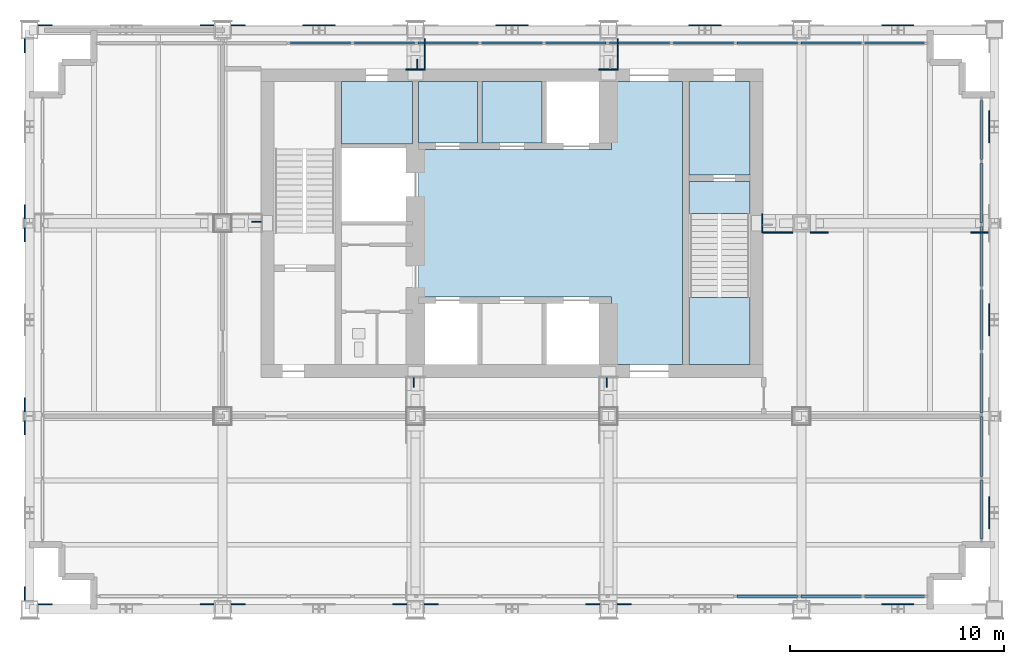
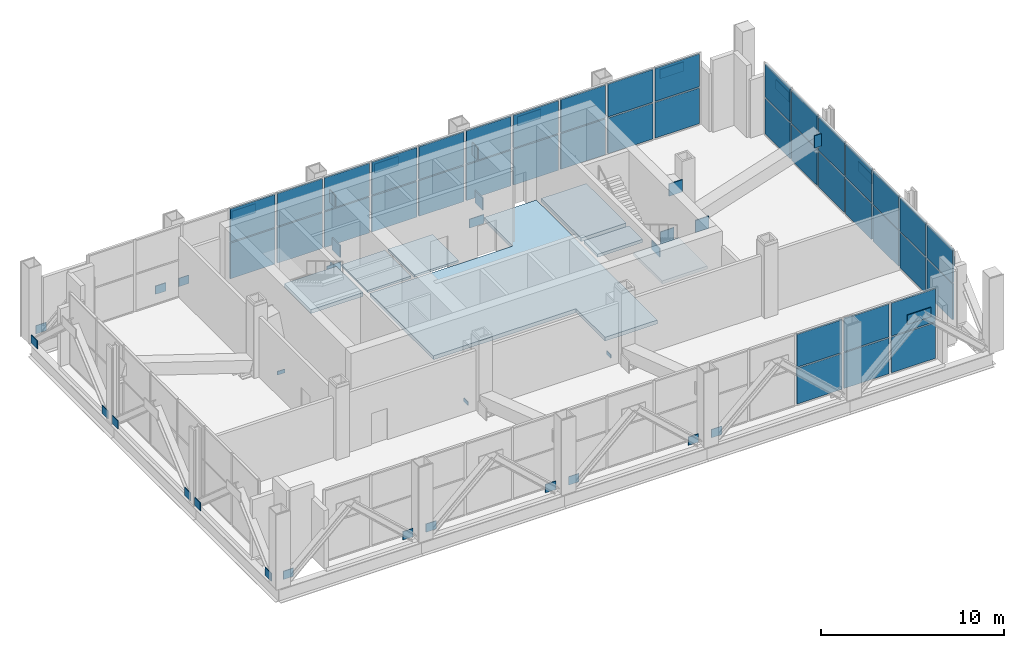
# One storey, part 8 of 13: 79 plates, 7 slabs, 4 elements without a shape of their own.
"""IFC4 building model written with IfcOpenShell, lengths in metres."""

from ifc_helpers import new_model, si_unit, direction, frame, origin, origin_2d, place, context, subcontext, project, spatial, polyline, rectangle, outline, extrude, material, layer, layer_set, type_object, element, aggregate, save


model = new_model("IFC4")

# Units and contexts
model_context = context("Model", 3, precision=1e-05, world=origin(), true_north=direction((0.0, 1.0)))
body_context = subcontext(model_context, "Body", "Model", "MODEL_VIEW")
ifc_project = project(units=[si_unit("LENGTHUNIT", "METRE"), si_unit("AREAUNIT", "SQUARE_METRE"), si_unit("VOLUMEUNIT", "CUBIC_METRE"), si_unit("PLANEANGLEUNIT", "RADIAN"), si_unit("MASSUNIT", "GRAM", prefix="KILO")], contexts=[model_context])

# Site, building, storey
site_placement = place(None, origin())
site = spatial("IfcSite", under=ifc_project, at=site_placement, CompositionType="ELEMENT")
building_placement = place(site_placement, origin())
building = spatial("IfcBuilding", under=site, at=building_placement, Name="Loomwork Tower", CompositionType="ELEMENT")
storey_placement = place(building_placement, frame((0.0, 0.0, 221.60009765625)))
storey = spatial("IfcBuildingStorey", under=building, at=storey_placement, Name="L61", CompositionType="ELEMENT", Elevation=221.60009765625)

# Slabs
ifc_material_1 = material(Name="Concrete 5000 psi (34 MPa) on composite metal deck", Category="concrete")
ifc_layer_1 = layer(ifc_material_1, 0.25)
ifc_layer_set_1 = layer_set([ifc_layer_1], Name="Floor slab 250")
slab_type_1 = type_object("IfcSlabType", Name="Floor slab 250", PredefinedType="FLOOR", material=ifc_layer_set_1)
slab_1_placement = place(storey_placement, frame((0.0, 0.0, -0.25)))
element("IfcSlab", 1, at=slab_1_placement, inside=storey, type_object=slab_type_1, Name="Floor slab L61", PredefinedType="FLOOR", context=body_context, shape_type="SweptSolid", body=[
    extrude(outline(polyline([(30.449951171875, 24.60009765625), (30.449951171875, 11.39990234375), (27.14990234375, 11.39990234375), (27.14990234375, 14.25), (27.14990234375, 14.550048828125), (18.14990234375, 14.550048828125), (18.14990234375, 21.449951171875), (27.14990234375, 21.449951171875), (27.14990234375, 21.75), (27.14990234375, 24.60009765625), (30.449951171875, 24.60009765625)])), origin(), (0.0, 0.0, 1.0), 0.25),
])
slab_2_placement = place(storey_placement, frame((0.0, 0.0, -0.25)))
element("IfcSlab", 2, at=slab_2_placement, inside=storey, type_object=slab_type_1, Name="Floor slab L61", PredefinedType="FLOOR", context=body_context, shape_type="SweptSolid", body=[
    extrude(outline(polyline([(33.60009765625, 20.25), (30.75, 20.25), (30.75, 24.60009765625), (33.60009765625, 24.60009765625), (33.60009765625, 20.25)])), origin(), (0.0, 0.0, 1.0), 0.25),
])
slab_3_placement = place(storey_placement, frame((0.0, 0.0, -0.25)))
element("IfcSlab", 3, at=slab_3_placement, inside=storey, type_object=slab_type_1, Name="Floor slab L61", PredefinedType="FLOOR", context=body_context, shape_type="SweptSolid", body=[
    extrude(outline(polyline([(14.550048828125, 21.699951171875), (14.550048828125, 24.60009765625), (17.85009765625, 24.60009765625), (17.85009765625, 21.699951171875), (14.550048828125, 21.699951171875)])), origin(), (0.0, 0.0, 1.0), 0.25),
])

# Curtain wall, plates
ifc_material_2 = material(Name="Aluminium louvre frame", Category="aluminium")
curtain_wall_type = type_object("IfcCurtainWallType", Name="Plant floor louvre screen", PredefinedType="NOTDEFINED", material=ifc_material_2)
curtain_wall_1_placement = place(storey_placement, origin())
curtain_wall_1 = element("IfcCurtainWall", 4, at=curtain_wall_1_placement, inside=storey, type_object=curtain_wall_type, Name="Plant floor louvre screen cw/S", PredefinedType="NOTDEFINED")
ifc_material_3 = material(Name="Aluminium louvre blade panel", Category="aluminium")
ifc_layer_2 = layer(ifc_material_3, 0.10009765625)
ifc_layer_set_2 = layer_set([ifc_layer_2], Name="Plant floor louvre screen panel")
plate_type_1 = type_object("IfcPlateType", Name="Plant floor louvre screen panel", PredefinedType="CURTAIN_PANEL", material=ifc_layer_set_2)
plate_1_placement = place(storey_placement, frame((34.40771484375, 0.60009765625, 0.080078125), z_axis=(0.0, 0.0, 1.0), x_axis=(1.0, 0.0, 0.0)))
plate_1 = element("IfcPlate", 5, at=plate_1_placement, type_object=plate_type_1, Name="CW4 panel 11.1", PredefinedType="CURTAIN_PANEL", context=body_context, shape_type="SweptSolid", body=[
    extrude(rectangle(XDim=2.826904296875, YDim=0.10009765625, at=origin_2d()), origin(), (0.0, 0.0, 1.0), 2.3798828125),
])
plate_2_placement = place(storey_placement, frame((34.40771484375, 0.60009765625, 2.5400390625), z_axis=(0.0, 0.0, 1.0), x_axis=(1.0, 0.0, 0.0)))
plate_2 = element("IfcPlate", 6, at=plate_2_placement, type_object=plate_type_1, Name="CW4 panel 11.2", PredefinedType="CURTAIN_PANEL", context=body_context, shape_type="SweptSolid", body=[
    extrude(rectangle(XDim=2.826904296875, YDim=0.10009765625, at=origin_2d()), origin(), (0.0, 0.0, 1.0), 2.179931640625),
])
plate_3_placement = place(storey_placement, frame((37.384521484375, 0.60009765625, 0.080078125), z_axis=(0.0, 0.0, 1.0), x_axis=(1.0, 0.0, 0.0)))
plate_3 = element("IfcPlate", 7, at=plate_3_placement, type_object=plate_type_1, Name="CW4 panel 12.1", PredefinedType="CURTAIN_PANEL", context=body_context, shape_type="SweptSolid", body=[
    extrude(rectangle(XDim=2.826904296875, YDim=0.10009765625, at=origin_2d()), origin(), (0.0, 0.0, 1.0), 2.3798828125),
])
plate_4_placement = place(storey_placement, frame((37.384521484375, 0.60009765625, 2.5400390625), z_axis=(0.0, 0.0, 1.0), x_axis=(1.0, 0.0, 0.0)))
plate_4 = element("IfcPlate", 8, at=plate_4_placement, type_object=plate_type_1, Name="CW4 panel 12.2", PredefinedType="CURTAIN_PANEL", context=body_context, shape_type="SweptSolid", body=[
    extrude(rectangle(XDim=2.826904296875, YDim=0.10009765625, at=origin_2d()), origin(), (0.0, 0.0, 1.0), 2.179931640625),
])
plate_5_placement = place(storey_placement, frame((40.341552734375, 0.60009765625, 0.080078125), z_axis=(0.0, 0.0, 1.0), x_axis=(1.0, 0.0, 0.0)))
plate_5 = element("IfcPlate", 9, at=plate_5_placement, type_object=plate_type_1, Name="CW4 panel 13.1", PredefinedType="CURTAIN_PANEL", context=body_context, shape_type="SweptSolid", body=[
    extrude(rectangle(XDim=2.786865234375, YDim=0.10009765625, at=origin_2d()), origin(), (0.0, 0.0, 1.0), 2.3798828125),
])
plate_6_placement = place(storey_placement, frame((40.341552734375, 0.60009765625, 2.5400390625), z_axis=(0.0, 0.0, 1.0), x_axis=(1.0, 0.0, 0.0)))
plate_6 = element("IfcPlate", 10, at=plate_6_placement, type_object=plate_type_1, Name="CW4 panel 13.2", PredefinedType="CURTAIN_PANEL", context=body_context, shape_type="SweptSolid", body=[
    extrude(rectangle(XDim=2.786865234375, YDim=0.10009765625, at=origin_2d()), origin(), (0.0, 0.0, 1.0), 2.179931640625),
])
aggregate(curtain_wall_1, [plate_1, plate_2, plate_3, plate_4, plate_5, plate_6])

curtain_wall_2_placement = place(storey_placement, origin())
curtain_wall_2 = element("IfcCurtainWall", 11, at=curtain_wall_2_placement, inside=storey, type_object=curtain_wall_type, Name="Plant floor louvre screen cw/E", PredefinedType="NOTDEFINED")
plate_7_placement = place(storey_placement, frame((44.39990234375, 4.648681640625, 0.080078125), z_axis=(0.0, 0.0, 1.0), x_axis=(0.0, 1.0, 0.0)))
plate_7 = element("IfcPlate", 12, at=plate_7_placement, type_object=plate_type_1, Name="CW4 panel 1.1", PredefinedType="CURTAIN_PANEL", context=body_context, shape_type="SweptSolid", body=[
    extrude(rectangle(XDim=2.76708984375, YDim=0.10009765625, at=origin_2d()), origin(), (0.0, 0.0, 1.0), 2.3798828125),
])
plate_8_placement = place(storey_placement, frame((44.39990234375, 4.648681640625, 2.5400390625), z_axis=(0.0, 0.0, 1.0), x_axis=(0.0, 1.0, 0.0)))
plate_8 = element("IfcPlate", 13, at=plate_8_placement, type_object=plate_type_1, Name="CW4 panel 1.2", PredefinedType="CURTAIN_PANEL", context=body_context, shape_type="SweptSolid", body=[
    extrude(rectangle(XDim=2.76708984375, YDim=0.10009765625, at=origin_2d()), origin(), (0.0, 0.0, 1.0), 2.179931640625),
])
plate_9_placement = place(storey_placement, frame((44.39990234375, 7.585693359375, 0.080078125), z_axis=(0.0, 0.0, 1.0), x_axis=(0.0, 1.0, 0.0)))
plate_9 = element("IfcPlate", 14, at=plate_9_placement, type_object=plate_type_1, Name="CW4 panel 2.1", PredefinedType="CURTAIN_PANEL", context=body_context, shape_type="SweptSolid", body=[
    extrude(rectangle(XDim=2.80712890625, YDim=0.10009765625, at=origin_2d()), origin(), (0.0, 0.0, 1.0), 2.3798828125),
])
plate_10_placement = place(storey_placement, frame((44.39990234375, 7.585693359375, 2.5400390625), z_axis=(0.0, 0.0, 1.0), x_axis=(0.0, 1.0, 0.0)))
plate_10 = element("IfcPlate", 15, at=plate_10_placement, type_object=plate_type_1, Name="CW4 panel 2.2", PredefinedType="CURTAIN_PANEL", context=body_context, shape_type="SweptSolid", body=[
    extrude(rectangle(XDim=2.80712890625, YDim=0.10009765625, at=origin_2d()), origin(), (0.0, 0.0, 1.0), 2.179931640625),
])
plate_11_placement = place(storey_placement, frame((44.39990234375, 10.54296875, 0.080078125), z_axis=(0.0, 0.0, 1.0), x_axis=(0.0, 1.0, 0.0)))
plate_11 = element("IfcPlate", 16, at=plate_11_placement, type_object=plate_type_1, Name="CW4 panel 3.1", PredefinedType="CURTAIN_PANEL", context=body_context, shape_type="SweptSolid", body=[
    extrude(rectangle(XDim=2.80712890625, YDim=0.10009765625, at=origin_2d()), origin(), (0.0, 0.0, 1.0), 2.3798828125),
])
plate_12_placement = place(storey_placement, frame((44.39990234375, 10.54296875, 2.5400390625), z_axis=(0.0, 0.0, 1.0), x_axis=(0.0, 1.0, 0.0)))
plate_12 = element("IfcPlate", 17, at=plate_12_placement, type_object=plate_type_1, Name="CW4 panel 3.2", PredefinedType="CURTAIN_PANEL", context=body_context, shape_type="SweptSolid", body=[
    extrude(rectangle(XDim=2.80712890625, YDim=0.10009765625, at=origin_2d()), origin(), (0.0, 0.0, 1.0), 2.179931640625),
])
plate_13_placement = place(storey_placement, frame((44.39990234375, 13.5, 0.080078125), z_axis=(0.0, 0.0, 1.0), x_axis=(0.0, 1.0, 0.0)))
plate_13 = element("IfcPlate", 18, at=plate_13_placement, type_object=plate_type_1, Name="CW4 panel 4.1", PredefinedType="CURTAIN_PANEL", context=body_context, shape_type="SweptSolid", body=[
    extrude(rectangle(XDim=2.80712890625, YDim=0.10009765625, at=origin_2d()), origin(), (0.0, 0.0, 1.0), 2.3798828125),
])
plate_14_placement = place(storey_placement, frame((44.39990234375, 13.5, 2.5400390625), z_axis=(0.0, 0.0, 1.0), x_axis=(0.0, 1.0, 0.0)))
plate_14 = element("IfcPlate", 19, at=plate_14_placement, type_object=plate_type_1, Name="CW4 panel 4.2", PredefinedType="CURTAIN_PANEL", context=body_context, shape_type="SweptSolid", body=[
    extrude(rectangle(XDim=2.80712890625, YDim=0.10009765625, at=origin_2d()), origin(), (0.0, 0.0, 1.0), 2.179931640625),
])
plate_15_placement = place(storey_placement, frame((44.39990234375, 16.45703125, 0.080078125), z_axis=(0.0, 0.0, 1.0), x_axis=(0.0, 1.0, 0.0)))
plate_15 = element("IfcPlate", 20, at=plate_15_placement, type_object=plate_type_1, Name="CW4 panel 5.1", PredefinedType="CURTAIN_PANEL", context=body_context, shape_type="SweptSolid", body=[
    extrude(rectangle(XDim=2.80712890625, YDim=0.10009765625, at=origin_2d()), origin(), (0.0, 0.0, 1.0), 2.3798828125),
])
plate_16_placement = place(storey_placement, frame((44.39990234375, 16.45703125, 2.5400390625), z_axis=(0.0, 0.0, 1.0), x_axis=(0.0, 1.0, 0.0)))
plate_16 = element("IfcPlate", 21, at=plate_16_placement, type_object=plate_type_1, Name="CW4 panel 5.2", PredefinedType="CURTAIN_PANEL", context=body_context, shape_type="SweptSolid", body=[
    extrude(rectangle(XDim=2.80712890625, YDim=0.10009765625, at=origin_2d()), origin(), (0.0, 0.0, 1.0), 2.179931640625),
])
plate_17_placement = place(storey_placement, frame((44.39990234375, 19.414306640625, 0.080078125), z_axis=(0.0, 0.0, 1.0), x_axis=(0.0, 1.0, 0.0)))
plate_17 = element("IfcPlate", 22, at=plate_17_placement, type_object=plate_type_1, Name="CW4 panel 6.1", PredefinedType="CURTAIN_PANEL", context=body_context, shape_type="SweptSolid", body=[
    extrude(rectangle(XDim=2.80712890625, YDim=0.10009765625, at=origin_2d()), origin(), (0.0, 0.0, 1.0), 2.3798828125),
])
plate_18_placement = place(storey_placement, frame((44.39990234375, 19.414306640625, 2.5400390625), z_axis=(0.0, 0.0, 1.0), x_axis=(0.0, 1.0, 0.0)))
plate_18 = element("IfcPlate", 23, at=plate_18_placement, type_object=plate_type_1, Name="CW4 panel 6.2", PredefinedType="CURTAIN_PANEL", context=body_context, shape_type="SweptSolid", body=[
    extrude(rectangle(XDim=2.80712890625, YDim=0.10009765625, at=origin_2d()), origin(), (0.0, 0.0, 1.0), 2.179931640625),
])
plate_19_placement = place(storey_placement, frame((44.39990234375, 22.351318359375, 0.080078125), z_axis=(0.0, 0.0, 1.0), x_axis=(0.0, 1.0, 0.0)))
plate_19 = element("IfcPlate", 24, at=plate_19_placement, type_object=plate_type_1, Name="CW4 panel 7.1", PredefinedType="CURTAIN_PANEL", context=body_context, shape_type="SweptSolid", body=[
    extrude(rectangle(XDim=2.76708984375, YDim=0.10009765625, at=origin_2d()), origin(), (0.0, 0.0, 1.0), 2.3798828125),
])
plate_20_placement = place(storey_placement, frame((44.39990234375, 22.351318359375, 2.5400390625), z_axis=(0.0, 0.0, 1.0), x_axis=(0.0, 1.0, 0.0)))
plate_20 = element("IfcPlate", 25, at=plate_20_placement, type_object=plate_type_1, Name="CW4 panel 7.2", PredefinedType="CURTAIN_PANEL", context=body_context, shape_type="SweptSolid", body=[
    extrude(rectangle(XDim=2.76708984375, YDim=0.10009765625, at=origin_2d()), origin(), (0.0, 0.0, 1.0), 2.179931640625),
])
aggregate(curtain_wall_2, [plate_7, plate_8, plate_9, plate_10, plate_11, plate_12, plate_13, plate_14, plate_15, plate_16, plate_17, plate_18, plate_19, plate_20])

curtain_wall_3_placement = place(storey_placement, origin())
curtain_wall_3 = element("IfcCurtainWall", 26, at=curtain_wall_3_placement, inside=storey, type_object=curtain_wall_type, Name="Plant floor louvre screen cw/N", PredefinedType="NOTDEFINED")
plate_21_placement = place(storey_placement, frame((40.341552734375, 26.39990234375, 0.080078125), z_axis=(0.0, 0.0, 1.0), x_axis=(-1.0, 0.0, 0.0)))
plate_21 = element("IfcPlate", 27, at=plate_21_placement, type_object=plate_type_1, Name="CW4 panel 1.1", PredefinedType="CURTAIN_PANEL", context=body_context, shape_type="SweptSolid", body=[
    extrude(rectangle(XDim=2.786865234375, YDim=0.10009765625, at=origin_2d()), origin(), (0.0, 0.0, 1.0), 2.3798828125),
])
plate_22_placement = place(storey_placement, frame((40.341552734375, 26.39990234375, 2.5400390625), z_axis=(0.0, 0.0, 1.0), x_axis=(-1.0, 0.0, 0.0)))
plate_22 = element("IfcPlate", 28, at=plate_22_placement, type_object=plate_type_1, Name="CW4 panel 1.2", PredefinedType="CURTAIN_PANEL", context=body_context, shape_type="SweptSolid", body=[
    extrude(rectangle(XDim=2.786865234375, YDim=0.10009765625, at=origin_2d()), origin(), (0.0, 0.0, 1.0), 2.179931640625),
])
plate_23_placement = place(storey_placement, frame((37.384521484375, 26.39990234375, 0.080078125), z_axis=(0.0, 0.0, 1.0), x_axis=(-1.0, 0.0, 0.0)))
plate_23 = element("IfcPlate", 29, at=plate_23_placement, type_object=plate_type_1, Name="CW4 panel 2.1", PredefinedType="CURTAIN_PANEL", context=body_context, shape_type="SweptSolid", body=[
    extrude(rectangle(XDim=2.826904296875, YDim=0.10009765625, at=origin_2d()), origin(), (0.0, 0.0, 1.0), 2.3798828125),
])
plate_24_placement = place(storey_placement, frame((37.384521484375, 26.39990234375, 2.5400390625), z_axis=(0.0, 0.0, 1.0), x_axis=(-1.0, 0.0, 0.0)))
plate_24 = element("IfcPlate", 30, at=plate_24_placement, type_object=plate_type_1, Name="CW4 panel 2.2", PredefinedType="CURTAIN_PANEL", context=body_context, shape_type="SweptSolid", body=[
    extrude(rectangle(XDim=2.826904296875, YDim=0.10009765625, at=origin_2d()), origin(), (0.0, 0.0, 1.0), 2.179931640625),
])
plate_25_placement = place(storey_placement, frame((34.40771484375, 26.39990234375, 0.080078125), z_axis=(0.0, 0.0, 1.0), x_axis=(-1.0, 0.0, 0.0)))
plate_25 = element("IfcPlate", 31, at=plate_25_placement, type_object=plate_type_1, Name="CW4 panel 3.1", PredefinedType="CURTAIN_PANEL", context=body_context, shape_type="SweptSolid", body=[
    extrude(rectangle(XDim=2.826904296875, YDim=0.10009765625, at=origin_2d()), origin(), (0.0, 0.0, 1.0), 2.3798828125),
])
plate_26_placement = place(storey_placement, frame((34.40771484375, 26.39990234375, 2.5400390625), z_axis=(0.0, 0.0, 1.0), x_axis=(-1.0, 0.0, 0.0)))
plate_26 = element("IfcPlate", 32, at=plate_26_placement, type_object=plate_type_1, Name="CW4 panel 3.2", PredefinedType="CURTAIN_PANEL", context=body_context, shape_type="SweptSolid", body=[
    extrude(rectangle(XDim=2.826904296875, YDim=0.10009765625, at=origin_2d()), origin(), (0.0, 0.0, 1.0), 2.179931640625),
])
plate_27_placement = place(storey_placement, frame((31.4306640625, 26.39990234375, 0.080078125), z_axis=(0.0, 0.0, 1.0), x_axis=(-1.0, 0.0, 0.0)))
plate_27 = element("IfcPlate", 33, at=plate_27_placement, type_object=plate_type_1, Name="CW4 panel 4.1", PredefinedType="CURTAIN_PANEL", context=body_context, shape_type="SweptSolid", body=[
    extrude(rectangle(XDim=2.826904296875, YDim=0.10009765625, at=origin_2d()), origin(), (0.0, 0.0, 1.0), 2.3798828125),
])
plate_28_placement = place(storey_placement, frame((31.4306640625, 26.39990234375, 2.5400390625), z_axis=(0.0, 0.0, 1.0), x_axis=(-1.0, 0.0, 0.0)))
plate_28 = element("IfcPlate", 34, at=plate_28_placement, type_object=plate_type_1, Name="CW4 panel 4.2", PredefinedType="CURTAIN_PANEL", context=body_context, shape_type="SweptSolid", body=[
    extrude(rectangle(XDim=2.826904296875, YDim=0.10009765625, at=origin_2d()), origin(), (0.0, 0.0, 1.0), 2.179931640625),
])
plate_29_placement = place(storey_placement, frame((28.453857421875, 26.39990234375, 0.080078125), z_axis=(0.0, 0.0, 1.0), x_axis=(-1.0, 0.0, 0.0)))
plate_29 = element("IfcPlate", 35, at=plate_29_placement, type_object=plate_type_1, Name="CW4 panel 5.1", PredefinedType="CURTAIN_PANEL", context=body_context, shape_type="SweptSolid", body=[
    extrude(rectangle(XDim=2.826904296875, YDim=0.10009765625, at=origin_2d()), origin(), (0.0, 0.0, 1.0), 2.3798828125),
])
plate_30_placement = place(storey_placement, frame((28.453857421875, 26.39990234375, 2.5400390625), z_axis=(0.0, 0.0, 1.0), x_axis=(-1.0, 0.0, 0.0)))
plate_30 = element("IfcPlate", 36, at=plate_30_placement, type_object=plate_type_1, Name="CW4 panel 5.2", PredefinedType="CURTAIN_PANEL", context=body_context, shape_type="SweptSolid", body=[
    extrude(rectangle(XDim=2.826904296875, YDim=0.10009765625, at=origin_2d()), origin(), (0.0, 0.0, 1.0), 2.179931640625),
])
plate_31_placement = place(storey_placement, frame((25.476806640625, 26.39990234375, 0.080078125), z_axis=(0.0, 0.0, 1.0), x_axis=(-1.0, 0.0, 0.0)))
plate_31 = element("IfcPlate", 37, at=plate_31_placement, type_object=plate_type_1, Name="CW4 panel 6.1", PredefinedType="CURTAIN_PANEL", context=body_context, shape_type="SweptSolid", body=[
    extrude(rectangle(XDim=2.826904296875, YDim=0.10009765625, at=origin_2d()), origin(), (0.0, 0.0, 1.0), 2.3798828125),
])
plate_32_placement = place(storey_placement, frame((25.476806640625, 26.39990234375, 2.5400390625), z_axis=(0.0, 0.0, 1.0), x_axis=(-1.0, 0.0, 0.0)))
plate_32 = element("IfcPlate", 38, at=plate_32_placement, type_object=plate_type_1, Name="CW4 panel 6.2", PredefinedType="CURTAIN_PANEL", context=body_context, shape_type="SweptSolid", body=[
    extrude(rectangle(XDim=2.826904296875, YDim=0.10009765625, at=origin_2d()), origin(), (0.0, 0.0, 1.0), 2.179931640625),
])
plate_33_placement = place(storey_placement, frame((22.5, 26.39990234375, 0.080078125), z_axis=(0.0, 0.0, 1.0), x_axis=(-1.0, 0.0, 0.0)))
plate_33 = element("IfcPlate", 39, at=plate_33_placement, type_object=plate_type_1, Name="CW4 panel 7.1", PredefinedType="CURTAIN_PANEL", context=body_context, shape_type="SweptSolid", body=[
    extrude(rectangle(XDim=2.826904296875, YDim=0.10009765625, at=origin_2d()), origin(), (0.0, 0.0, 1.0), 2.3798828125),
])
plate_34_placement = place(storey_placement, frame((22.5, 26.39990234375, 2.5400390625), z_axis=(0.0, 0.0, 1.0), x_axis=(-1.0, 0.0, 0.0)))
plate_34 = element("IfcPlate", 40, at=plate_34_placement, type_object=plate_type_1, Name="CW4 panel 7.2", PredefinedType="CURTAIN_PANEL", context=body_context, shape_type="SweptSolid", body=[
    extrude(rectangle(XDim=2.826904296875, YDim=0.10009765625, at=origin_2d()), origin(), (0.0, 0.0, 1.0), 2.179931640625),
])
plate_35_placement = place(storey_placement, frame((19.523193359375, 26.39990234375, 0.080078125), z_axis=(0.0, 0.0, 1.0), x_axis=(-1.0, 0.0, 0.0)))
plate_35 = element("IfcPlate", 41, at=plate_35_placement, type_object=plate_type_1, Name="CW4 panel 8.1", PredefinedType="CURTAIN_PANEL", context=body_context, shape_type="SweptSolid", body=[
    extrude(rectangle(XDim=2.826904296875, YDim=0.10009765625, at=origin_2d()), origin(), (0.0, 0.0, 1.0), 2.3798828125),
])
plate_36_placement = place(storey_placement, frame((19.523193359375, 26.39990234375, 2.5400390625), z_axis=(0.0, 0.0, 1.0), x_axis=(-1.0, 0.0, 0.0)))
plate_36 = element("IfcPlate", 42, at=plate_36_placement, type_object=plate_type_1, Name="CW4 panel 8.2", PredefinedType="CURTAIN_PANEL", context=body_context, shape_type="SweptSolid", body=[
    extrude(rectangle(XDim=2.826904296875, YDim=0.10009765625, at=origin_2d()), origin(), (0.0, 0.0, 1.0), 2.179931640625),
])
plate_37_placement = place(storey_placement, frame((16.546142578125, 26.39990234375, 0.080078125), z_axis=(0.0, 0.0, 1.0), x_axis=(-1.0, 0.0, 0.0)))
plate_37 = element("IfcPlate", 43, at=plate_37_placement, type_object=plate_type_1, Name="CW4 panel 9.1", PredefinedType="CURTAIN_PANEL", context=body_context, shape_type="SweptSolid", body=[
    extrude(rectangle(XDim=2.826904296875, YDim=0.10009765625, at=origin_2d()), origin(), (0.0, 0.0, 1.0), 2.3798828125),
])
plate_38_placement = place(storey_placement, frame((16.546142578125, 26.39990234375, 2.5400390625), z_axis=(0.0, 0.0, 1.0), x_axis=(-1.0, 0.0, 0.0)))
plate_38 = element("IfcPlate", 44, at=plate_38_placement, type_object=plate_type_1, Name="CW4 panel 9.2", PredefinedType="CURTAIN_PANEL", context=body_context, shape_type="SweptSolid", body=[
    extrude(rectangle(XDim=2.826904296875, YDim=0.10009765625, at=origin_2d()), origin(), (0.0, 0.0, 1.0), 2.179931640625),
])
plate_39_placement = place(storey_placement, frame((13.5693359375, 26.39990234375, 0.080078125), z_axis=(0.0, 0.0, 1.0), x_axis=(-1.0, 0.0, 0.0)))
plate_39 = element("IfcPlate", 45, at=plate_39_placement, type_object=plate_type_1, Name="CW4 panel 10.1", PredefinedType="CURTAIN_PANEL", context=body_context, shape_type="SweptSolid", body=[
    extrude(rectangle(XDim=2.826904296875, YDim=0.10009765625, at=origin_2d()), origin(), (0.0, 0.0, 1.0), 2.3798828125),
])
plate_40_placement = place(storey_placement, frame((13.5693359375, 26.39990234375, 2.5400390625), z_axis=(0.0, 0.0, 1.0), x_axis=(-1.0, 0.0, 0.0)))
plate_40 = element("IfcPlate", 46, at=plate_40_placement, type_object=plate_type_1, Name="CW4 panel 10.2", PredefinedType="CURTAIN_PANEL", context=body_context, shape_type="SweptSolid", body=[
    extrude(rectangle(XDim=2.826904296875, YDim=0.10009765625, at=origin_2d()), origin(), (0.0, 0.0, 1.0), 2.179931640625),
])
aggregate(curtain_wall_3, [plate_21, plate_22, plate_23, plate_24, plate_25, plate_26, plate_27, plate_28, plate_29, plate_30, plate_31, plate_32, plate_33, plate_34, plate_35, plate_36, plate_37, plate_38, plate_39, plate_40])

# Slabs
ifc_material_4 = material(Name="Concrete 5000 psi (34 MPa) on composite metal deck", Category="concrete")
ifc_layer_3 = layer(ifc_material_4, 0.14990234375)
ifc_layer_set_3 = layer_set([ifc_layer_3], Name="Shaft infill floor 150")
slab_type_2 = type_object("IfcSlabType", Name="Shaft infill floor 150", PredefinedType="FLOOR", material=ifc_layer_set_3)
slab_4_placement = place(storey_placement, frame((0.0, 0.0, -0.150146484375)))
element("IfcSlab", 47, at=slab_4_placement, inside=storey, type_object=slab_type_2, Name="Shaft infill floor LS1 L61", PredefinedType="FLOOR", context=body_context, shape_type="SweptSolid", body=[
    extrude(outline(polyline([(18.14990234375, 21.75), (20.89990234375, 21.75), (20.89990234375, 24.60009765625), (18.14990234375, 24.60009765625), (18.14990234375, 21.75)])), origin(), (0.0, 0.0, 1.0), 0.150146484375),
])
slab_5_placement = place(storey_placement, frame((0.0, 0.0, -0.150146484375)))
element("IfcSlab", 48, at=slab_5_placement, inside=storey, type_object=slab_type_2, Name="Shaft infill floor LS2 L61", PredefinedType="FLOOR", context=body_context, shape_type="SweptSolid", body=[
    extrude(outline(polyline([(21.10009765625, 21.75), (23.89990234375, 21.75), (23.89990234375, 24.60009765625), (21.10009765625, 24.60009765625), (21.10009765625, 21.75)])), origin(), (0.0, 0.0, 1.0), 0.150146484375),
])

# Stair, slabs
ifc_material_5 = material(Name="Concrete 5000 psi (34 MPa) precast stair", Category="concrete")
stair_type = type_object("IfcStairType", Name="Stair ST-B 30 risers 2850 wide", PredefinedType="HALF_TURN_STAIR", material=ifc_material_5)
stair_placement = place(storey_placement, origin())
stair = element("IfcStair", 49, at=stair_placement, inside=storey, type_object=stair_type, Name="Stair B L61", PredefinedType="HALF_TURN_STAIR")
ifc_material_6 = material(Name="Concrete 5000 psi (34 MPa)", Category="concrete")
ifc_layer_4 = layer(ifc_material_6, 0.199951171875)
ifc_layer_set_4 = layer_set([ifc_layer_4], Name="Stair landing 200")
slab_type_3 = type_object("IfcSlabType", Name="Stair landing 200", PredefinedType="LANDING", material=ifc_layer_set_4)
slab_6_placement = place(storey_placement, frame((0.0, 0.0, -0.2001953125)))
slab_6 = element("IfcSlab", 50, at=slab_6_placement, type_object=slab_type_3, Name="ST-B landing 1", PredefinedType="LANDING", context=body_context, shape_type="SweptSolid", body=[
    extrude(outline(polyline([(30.75, 18.449951171875), (33.60009765625, 18.449951171875), (33.60009765625, 19.949951171875), (30.75, 19.949951171875), (30.75, 18.449951171875)])), origin(), (0.0, 0.0, 1.0), 0.2001953125),
])
slab_7_placement = place(storey_placement, frame((0.0, 0.0, 2.2998046875)))
slab_7 = element("IfcSlab", 51, at=slab_7_placement, type_object=slab_type_3, Name="ST-B landing 2", PredefinedType="LANDING", context=body_context, shape_type="SweptSolid", body=[
    extrude(outline(polyline([(30.75, 11.39990234375), (33.60009765625, 11.39990234375), (33.60009765625, 14.530029296875), (30.75, 14.530029296875), (30.75, 11.39990234375)])), origin(), (0.0, 0.0, 1.0), 0.2001953125),
])
aggregate(stair, [slab_6, slab_7])

# Plates
ifc_material_7 = material(Name="Steel ASTM A572 Grade 50 plate", Category="steel")
ifc_layer_5 = layer(ifc_material_7, 0.06005859375)
ifc_layer_set_5 = layer_set([ifc_layer_5], Name="OUTRIGGER CAST-IN CORE PLATE 60")
plate_type_2 = type_object("IfcPlateType", Name="OUTRIGGER CAST-IN CORE PLATE 60", PredefinedType="SHEET", material=ifc_layer_set_5)
for number, where, z_axis, x_axis, name in (
    (52, (34.169921875, 18.0, -0.8447265625), (0.0, 0.0, 1.0), (0.0, 1.0, 0.0), "Outrigger cast-in core plate 36,18-33.9,18 L61"),
    (53, (27.0, 25.169921875, -0.8447265625), (0.0, 0.0, 1.0), (1.0, 0.0, 0.0), "Outrigger cast-in core plate 27,27-27,24.9 L61"),
    (54, (18.0, 25.169921875, -0.8447265625), (0.0, 0.0, 1.0), (1.0, 0.0, 0.0), "Outrigger cast-in core plate 18,27-18,24.9 L61"),
):
    element("IfcPlate", number, at=place(storey_placement, frame(where, z_axis=z_axis, x_axis=x_axis)), inside=storey, type_object=plate_type_2, Name=name, PredefinedType="SHEET", context=body_context, shape_type="SweptSolid", body=[
        extrude(rectangle(XDim=0.89990234375, YDim=0.06005859375, at=origin_2d()), origin(), (0.0, 0.0, 1.0), 0.590087890625),
    ])
ifc_material_8 = material(Name="Steel ASTM A572 Grade 50 plate", Category="steel")
ifc_layer_6 = layer(ifc_material_8, 0.050048828125)
ifc_layer_set_6 = layer_set([ifc_layer_6], Name="OUTRIGGER SHEAR PLATE 50")
plate_type_3 = type_object("IfcPlateType", Name="OUTRIGGER SHEAR PLATE 50", PredefinedType="SHEET", material=ifc_layer_set_6)
for number, where, z_axis, x_axis, name in (
    (55, (26.922119140625, 10.575439453125, -0.669921875), (0.0, 0.0, 1.0), (0.0, 1.0, 0.0), "Outrigger shear plate 27,9-27,11.1 L61"),
    (56, (17.922119140625, 10.575439453125, -0.669921875), (0.0, 0.0, 1.0), (0.0, 1.0, 0.0), "Outrigger shear plate 18,9-18,11.1 L61"),
    (57, (18.077880859375, 25.424560546875, -0.669921875), (0.0, 0.0, 1.0), (0.0, 1.0, 0.0), "Outrigger shear plate 18,27-18,24.9 L61"),
    (58, (10.575439453125, 18.077880859375, -0.669921875), (0.0, 0.0, 1.0), (1.0, 0.0, 0.0), "Outrigger shear plate 9,18-11.1,18 L61"),
):
    element("IfcPlate", number, at=place(storey_placement, frame(where, z_axis=z_axis, x_axis=x_axis)), inside=storey, type_object=plate_type_3, Name=name, PredefinedType="SHEET", context=body_context, shape_type="SweptSolid", body=[
        extrude(rectangle(XDim=0.449951171875, YDim=0.050048828125, at=origin_2d()), origin(), (0.0, 0.0, 1.0), 0.239990234375),
    ])
ifc_material_9 = material(Name="Steel ASTM A572 Grade 50 plate", Category="steel")
ifc_layer_7 = layer(ifc_material_9, 0.050048828125)
ifc_layer_set_7 = layer_set([ifc_layer_7], Name="BELT TRUSS APEX GUSSET PLATE 50")
plate_type_4 = type_object("IfcPlateType", Name="BELT TRUSS APEX GUSSET PLATE 50", PredefinedType="SHEET", material=ifc_layer_set_7)
for number, where, z_axis, x_axis, name in (
    (59, (40.5, 0.231689453125, 3.23046875), (0.0, 0.0, 1.0), (1.0, 0.0, 0.0), "Belt truss chevron apex gusset plate D/6-D/7 L61"),
    (60, (44.768310546875, 4.5, 3.23046875), (0.0, 0.0, 1.0), (0.0, 1.0, 0.0), "Belt truss chevron apex gusset plate D/7-E/7 L61"),
    (61, (44.768310546875, 13.5, 3.23046875), (0.0, 0.0, 1.0), (0.0, 1.0, 0.0), "Belt truss chevron apex gusset plate E/7-F/7 L61"),
    (62, (44.768310546875, 22.5, 3.23046875), (0.0, 0.0, 1.0), (0.0, 1.0, 0.0), "Belt truss chevron apex gusset plate F/7-G/7 L61"),
    (63, (13.5, 27.231689453125, 3.23046875), (0.0, 0.0, 1.0), (1.0, 0.0, 0.0), "Belt truss chevron apex gusset plate G/3-G/4 L61"),
    (64, (22.5, 27.231689453125, 3.23046875), (0.0, 0.0, 1.0), (1.0, 0.0, 0.0), "Belt truss chevron apex gusset plate G/4-G/5 L61"),
    (65, (31.5, 27.231689453125, 3.23046875), (0.0, 0.0, 1.0), (1.0, 0.0, 0.0), "Belt truss chevron apex gusset plate G/5-G/6 L61"),
    (66, (40.5, 27.231689453125, 3.23046875), (0.0, 0.0, 1.0), (1.0, 0.0, 0.0), "Belt truss chevron apex gusset plate G/6-G/7 L61"),
):
    element("IfcPlate", number, at=place(storey_placement, frame(where, z_axis=z_axis, x_axis=x_axis)), inside=storey, type_object=plate_type_4, Name=name, PredefinedType="SHEET", context=body_context, shape_type="SweptSolid", body=[
        extrude(rectangle(XDim=1.5, YDim=0.050048828125, at=origin_2d()), origin(), (0.0, 0.0, 1.0), 0.6201171875),
    ])
ifc_material_10 = material(Name="Steel ASTM A572 Grade 50 plate", Category="steel")
ifc_layer_8 = layer(ifc_material_10, 0.050048828125)
ifc_layer_set_8 = layer_set([ifc_layer_8], Name="BELT TRUSS PIER GUSSET PLATE 50")
plate_type_5 = type_object("IfcPlateType", Name="BELT TRUSS PIER GUSSET PLATE 50", PredefinedType="SHEET", material=ifc_layer_set_8)
for number, where, z_axis, x_axis, name in (
    (67, (0.72705078125, 0.231689453125, 0.001953125), (0.0, 0.0, 1.0), (1.0, 0.0, 0.0), "Belt truss pier gusset plate D/2-D/3 1 L61"),
    (68, (8.27294921875, 0.231689453125, 0.001953125), (0.0, 0.0, 1.0), (1.0, 0.0, 0.0), "Belt truss pier gusset plate D/2-D/3 2 L61"),
    (69, (-0.231689453125, 0.72705078125, 0.001953125), (0.0, 0.0, 1.0), (0.0, 1.0, 0.0), "Belt truss pier gusset plate D/2-E/2 1 L61"),
    (70, (-0.231689453125, 8.459716796875, 0.001953125), (0.0, 0.0, 1.0), (0.0, 1.0, 0.0), "Belt truss pier gusset plate D/2-E/2 2 L61"),
    (71, (9.72705078125, 0.231689453125, 0.001953125), (0.0, 0.0, 1.0), (1.0, 0.0, 0.0), "Belt truss pier gusset plate D/3-D/4 1 L61"),
    (72, (17.27294921875, 0.231689453125, 0.001953125), (0.0, 0.0, 1.0), (1.0, 0.0, 0.0), "Belt truss pier gusset plate D/3-D/4 2 L61"),
    (73, (18.72705078125, 0.231689453125, 0.001953125), (0.0, 0.0, 1.0), (1.0, 0.0, 0.0), "Belt truss pier gusset plate D/4-D/5 1 L61"),
    (74, (26.27294921875, 0.231689453125, 0.001953125), (0.0, 0.0, 1.0), (1.0, 0.0, 0.0), "Belt truss pier gusset plate D/4-D/5 2 L61"),
    (75, (27.72705078125, 0.231689453125, 0.001953125), (0.0, 0.0, 1.0), (1.0, 0.0, 0.0), "Belt truss pier gusset plate D/5-D/6 1 L61"),
    (76, (-0.231689453125, 9.540283203125, 0.001953125), (0.0, 0.0, 1.0), (0.0, 1.0, 0.0), "Belt truss pier gusset plate E/2-F/2 1 L61"),
    (77, (-0.231689453125, 17.459716796875, 0.001953125), (0.0, 0.0, 1.0), (0.0, 1.0, 0.0), "Belt truss pier gusset plate E/2-F/2 2 L61"),
    (78, (-0.231689453125, 18.540283203125, 0.001953125), (0.0, 0.0, 1.0), (0.0, 1.0, 0.0), "Belt truss pier gusset plate F/2-G/2 1 L61"),
    (79, (-0.231689453125, 26.27294921875, 0.001953125), (0.0, 0.0, 1.0), (0.0, 1.0, 0.0), "Belt truss pier gusset plate F/2-G/2 2 L61"),
    (80, (0.72705078125, 27.231689453125, 0.001953125), (0.0, 0.0, 1.0), (1.0, 0.0, 0.0), "Belt truss pier gusset plate G/2-G/3 1 L61"),
    (81, (8.27294921875, 27.231689453125, 0.001953125), (0.0, 0.0, 1.0), (1.0, 0.0, 0.0), "Belt truss pier gusset plate G/2-G/3 2 L61"),
    (82, (9.72705078125, 27.231689453125, 0.001953125), (0.0, 0.0, 1.0), (1.0, 0.0, 0.0), "Belt truss pier gusset plate G/3-G/4 1 L61"),
):
    element("IfcPlate", number, at=place(storey_placement, frame(where, z_axis=z_axis, x_axis=x_axis)), inside=storey, type_object=plate_type_5, Name=name, PredefinedType="SHEET", context=body_context, shape_type="SweptSolid", body=[
        extrude(rectangle(XDim=0.64990234375, YDim=0.050048828125, at=origin_2d()), origin(), (0.0, 0.0, 1.0), 0.550048828125),
    ])
ifc_material_11 = material(Name="Steel ASTM A572 Grade 50 plate", Category="steel")
ifc_layer_9 = layer(ifc_material_11, 0.06005859375)
ifc_layer_set_9 = layer_set([ifc_layer_9], Name="OUTRIGGER GUSSET PLATE 60")
plate_type_6 = type_object("IfcPlateType", Name="OUTRIGGER GUSSET PLATE 60", PredefinedType="SHEET", material=ifc_layer_set_9)
for number, where, z_axis, x_axis, name in (
    (83, (44.321044921875, 17.569091796875, 3.0224609375), (0.0, 0.0, 1.0), (1.0, 0.0, 0.0), "Outrigger top gusset plate F/7/0 L61"),
    (84, (36.8291015625, 17.569091796875, 0.009765625), (0.0, 0.0, 1.0), (1.0, 0.0, 0.0), "Outrigger bot gusset plate F/7/0 L61"),
    (85, (35.1708984375, 17.569091796875, 3.0224609375), (0.0, 0.0, 1.0), (1.0, 0.0, 0.0), "Outrigger top gusset plate F/6/1 L61"),
    (86, (34.62890625, 17.569091796875, 0.009765625), (0.0, 0.0, 1.0), (1.0, 0.0, 0.0), "Outrigger bot gusset plate F/6/1 L61"),
    (87, (18.430908203125, 26.1708984375, 3.02001953125), (0.0, 0.0, 1.0), (0.0, 1.0, 0.0), "Outrigger top gusset plate G/4/0 L61"),
    (88, (18.430908203125, 25.62890625, 0.009765625), (0.0, 0.0, 1.0), (0.0, 1.0, 0.0), "Outrigger bot gusset plate G/4/0 L61"),
    (89, (27.430908203125, 26.1708984375, 3.02001953125), (0.0, 0.0, 1.0), (0.0, 1.0, 0.0), "Outrigger top gusset plate G/5/0 L61"),
    (90, (27.430908203125, 25.62890625, 0.009765625), (0.0, 0.0, 1.0), (0.0, 1.0, 0.0), "Outrigger bot gusset plate G/5/0 L61"),
):
    element("IfcPlate", number, at=place(storey_placement, frame(where, z_axis=z_axis, x_axis=x_axis)), inside=storey, type_object=plate_type_6, Name=name, PredefinedType="SHEET", context=body_context, shape_type="SweptSolid", body=[
        extrude(rectangle(XDim=0.85009765625, YDim=0.06005859375, at=origin_2d()), origin(), (0.0, 0.0, 1.0), 0.820068359375),
    ])

save(model, "model.ifc")
